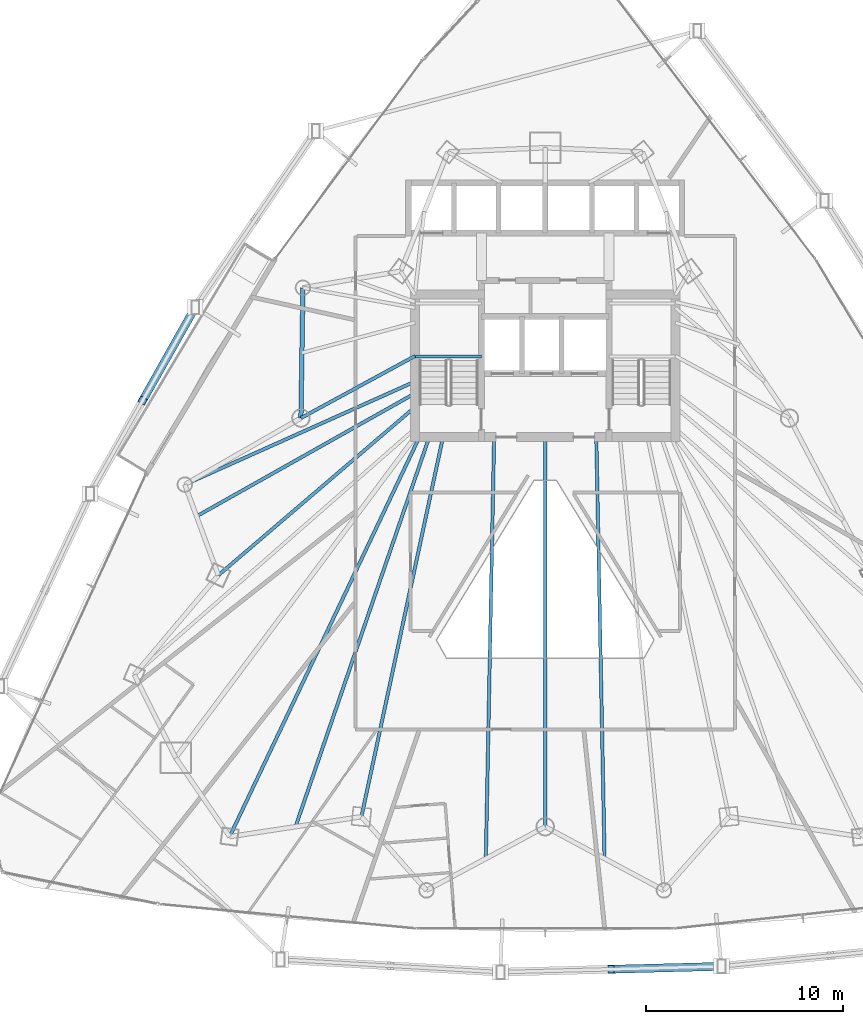
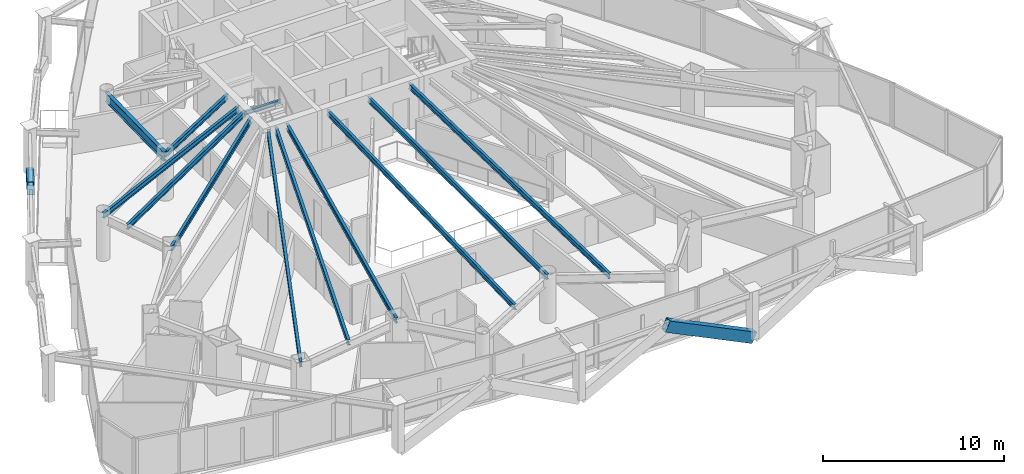
# One storey, part 12 of 38: 12 beams, 2 members.
"""IFC4 building model written with IfcOpenShell, lengths in metres."""

from ifc_helpers import new_model, si_unit, direction, frame, origin, origin_2d, place, context, subcontext, project, spatial, hollow_rectangle, i_section, extrude, material, material_profile, profile_set, type_object, element, save


model = new_model("IFC4")

# Units and contexts
model_context = context("Model", 3, precision=1e-05, world=origin(), true_north=direction((0.0, 1.0)))
body_context = subcontext(model_context, "Body", "Model", "MODEL_VIEW")
ifc_project = project(units=[si_unit("LENGTHUNIT", "METRE"), si_unit("AREAUNIT", "SQUARE_METRE"), si_unit("VOLUMEUNIT", "CUBIC_METRE"), si_unit("PLANEANGLEUNIT", "RADIAN"), si_unit("MASSUNIT", "GRAM", prefix="KILO")], contexts=[model_context])

# Site, building, storey
site_placement = place(None, origin())
site = spatial("IfcSite", under=ifc_project, at=site_placement, CompositionType="ELEMENT")
building_placement = place(site_placement, origin())
building = spatial("IfcBuilding", under=site, at=building_placement, Name="Orvanel Arch Residences", CompositionType="ELEMENT")
storey_placement = place(building_placement, frame((0.0, 0.0, 56.60009765625)))
storey = spatial("IfcBuildingStorey", under=building, at=storey_placement, Name="L15", CompositionType="ELEMENT", Elevation=56.60009765625)

# Beams
ifc_material_1 = material(Name="Structural steel AS/NZS 3679.1 Grade 300 (300 MPa)", Category="steel")
ifc_material_profile_1 = material_profile(ifc_material_1, i_section(OverallWidth=0.14599609375, OverallDepth=0.251953125, WebThickness=0.006103515625, FlangeThickness=0.008544921875, at=origin_2d()), Name="250UB31.4")
ifc_profile_set_1 = profile_set([ifc_material_profile_1], Name="Structural steel AS/NZS 3679.1 Grade 300 (300 MPa)")
beam_type_1 = type_object("IfcBeamType", Name="BJ-250UB", PredefinedType="JOIST", material=ifc_profile_set_1)
beam_1_placement = place(storey_placement, frame((26.39990234375, 30.780029296875, 1.323974609375), z_axis=(1.0, 0.0, 0.0), x_axis=(0.0, 1.0, 0.0)))
element("IfcBeam", 1, at=beam_1_placement, inside=storey, type_object=beam_type_1, Name="L15 ST-1 Half-Landing Support Beam 1.1", PredefinedType="JOIST", context=body_context, shape_type="SweptSolid", body=[
    extrude(i_section(OverallWidth=0.14599609375, OverallDepth=0.251953125, WebThickness=0.006103515625, FlangeThickness=0.008544921875, at=origin_2d()), origin(), (0.0, 0.0, 1.0), 3.35009765625),
])
ifc_material_profile_2 = material_profile(ifc_material_1, i_section(OverallWidth=0.1708984375, OverallDepth=0.35595703125, WebThickness=0.00732421875, FlangeThickness=0.011474609375, at=origin_2d()), Name="360UB50.7")
ifc_profile_set_2 = profile_set([ifc_material_profile_2], Name="Structural steel AS/NZS 3679.1 Grade 300 (300 MPa)")
beam_type_2 = type_object("IfcBeamType", Name="BJ-360UB", PredefinedType="JOIST", material=ifc_profile_set_2)
beam_2_placement = place(storey_placement, frame((26.375, 30.800048828125, 2.841796875), z_axis=(-0.878399029914, -0.477927969726, 0.0), x_axis=(0.477927969726, -0.878399029914, 0.0)))
element("IfcBeam", 2, at=beam_2_placement, inside=storey, type_object=beam_type_2, Name="L15 NW Wing Floor Joist", PredefinedType="JOIST", context=body_context, shape_type="SweptSolid", body=[
    extrude(i_section(OverallWidth=0.1708984375, OverallDepth=0.35595703125, WebThickness=0.00732421875, FlangeThickness=0.011474609375, at=origin_2d()), origin(), (0.0, 0.0, 1.0), 6.609619140625),
])
beam_3_placement = place(storey_placement, frame((26.375, 28.199951171875, 2.841796875), z_axis=(-0.760024297953, -0.649894658018, 0.0), x_axis=(0.649894658018, -0.760024297953, 0.0)))
element("IfcBeam", 3, at=beam_3_placement, inside=storey, type_object=beam_type_2, Name="L15 W Wing Floor Joist", PredefinedType="JOIST", context=body_context, shape_type="SweptSolid", body=[
    extrude(i_section(OverallWidth=0.1708984375, OverallDepth=0.35595703125, WebThickness=0.00732421875, FlangeThickness=0.011474609375, at=origin_2d()), origin(), (0.0, 0.0, 1.0), 13.16796875),
])
beam_4_placement = place(storey_placement, frame((27.800048828125, 26.675048828125, 2.841796875), z_axis=(-0.210066515515, -0.977687096703, 0.0), x_axis=(0.977687096703, -0.210066515515, 0.0)))
element("IfcBeam", 4, at=beam_4_placement, inside=storey, type_object=beam_type_2, Name="L15 SW Wing Floor Joist", PredefinedType="JOIST", context=body_context, shape_type="SweptSolid", body=[
    extrude(i_section(OverallWidth=0.1708984375, OverallDepth=0.35595703125, WebThickness=0.00732421875, FlangeThickness=0.011474609375, at=origin_2d()), origin(), (0.0, 0.0, 1.0), 19.760986328125),
])
beam_5_placement = place(storey_placement, frame((33.0, 26.675048828125, 2.841796875), z_axis=(0.0, -1.0, 0.0), x_axis=(1.0, 0.0, 0.0)))
element("IfcBeam", 5, at=beam_5_placement, inside=storey, type_object=beam_type_2, Name="L15 SSW Wing Floor Joist", PredefinedType="JOIST", context=body_context, shape_type="SweptSolid", body=[
    extrude(i_section(OverallWidth=0.1708984375, OverallDepth=0.35595703125, WebThickness=0.00732421875, FlangeThickness=0.011474609375, at=origin_2d()), origin(), (0.0, 0.0, 1.0), 19.8310546875),
])
for number, where, z_axis, x_axis, name in (
    (6, (30.39990234375, 26.675048828125, 2.841796875), (-0.019617680075, -0.999807554797, 0.0), (0.999807554797, -0.019617680075, 0.0), "L15 WSW2 Wing Floor Joist"),
    (7, (35.60009765625, 26.675048828125, 2.841796875), (0.019617680075, -0.999807554797, 0.0), (0.999807554797, 0.019617680075, 0.0), "L15 ESE2 Wing Floor Joist"),
):
    element("IfcBeam", number, at=place(storey_placement, frame(where, z_axis=z_axis, x_axis=x_axis)), inside=storey, type_object=beam_type_2, Name=name, PredefinedType="JOIST", context=body_context, shape_type="SweptSolid", body=[
        extrude(i_section(OverallWidth=0.1708984375, OverallDepth=0.35595703125, WebThickness=0.00732421875, FlangeThickness=0.011474609375, at=origin_2d()), origin(), (0.0, 0.0, 1.0), 21.455078125),
    ])
beam_6_placement = place(storey_placement, frame((26.60009765625, 26.675048828125, 2.841796875), z_axis=(-0.429042657795, -0.903284228686, 0.0), x_axis=(0.903284228686, -0.429042657795, 0.0)))
element("IfcBeam", 8, at=beam_6_placement, inside=storey, type_object=beam_type_2, Name="L15 MSW Wing Floor Joist", PredefinedType="JOIST", context=body_context, shape_type="SweptSolid", body=[
    extrude(i_section(OverallWidth=0.1708984375, OverallDepth=0.35595703125, WebThickness=0.00732421875, FlangeThickness=0.011474609375, at=origin_2d()), origin(), (0.0, 0.0, 1.0), 22.513427734375),
])
beam_7_placement = place(storey_placement, frame((26.375, 29.5, 2.841796875), z_axis=(-0.912704378681, -0.408620505038, 0.0), x_axis=(0.408620505038, -0.912704378681, 0.0)))
element("IfcBeam", 9, at=beam_7_placement, inside=storey, type_object=beam_type_2, Name="L15 LSW Wing Floor Joist", PredefinedType="JOIST", context=body_context, shape_type="SweptSolid", body=[
    extrude(i_section(OverallWidth=0.1708984375, OverallDepth=0.35595703125, WebThickness=0.00732421875, FlangeThickness=0.011474609375, at=origin_2d()), origin(), (0.0, 0.0, 1.0), 12.833251953125),
])
beam_8_placement = place(storey_placement, frame((26.375, 28.89990234375, 2.841796875), z_axis=(-0.871372554181, -0.490621923502, 0.0), x_axis=(0.490621923502, -0.871372554181, 0.0)))
element("IfcBeam", 10, at=beam_8_placement, inside=storey, type_object=beam_type_2, Name="L15 CTW Wing Floor Joist", PredefinedType="JOIST", context=body_context, shape_type="SweptSolid", body=[
    extrude(i_section(OverallWidth=0.1708984375, OverallDepth=0.35595703125, WebThickness=0.00732421875, FlangeThickness=0.011474609375, at=origin_2d()), origin(), (0.0, 0.0, 1.0), 12.7568359375),
])
beam_9_placement = place(storey_placement, frame((27.10009765625, 26.675048828125, 2.841796875), z_axis=(-0.324621456495, -0.945844019901, 0.0), x_axis=(0.945844019901, -0.324621456495, 0.0)))
element("IfcBeam", 11, at=beam_9_placement, inside=storey, type_object=beam_type_2, Name="L15 JADD1 Wing Floor Joist", PredefinedType="JOIST", context=body_context, shape_type="SweptSolid", body=[
    extrude(i_section(OverallWidth=0.1708984375, OverallDepth=0.35595703125, WebThickness=0.00732421875, FlangeThickness=0.011474609375, at=origin_2d()), origin(), (0.0, 0.0, 1.0), 20.96337890625),
])

# Members
ifc_material_2 = material(Name="Structural steel AS/NZS 3678 Grade 350", Category="steel")
ifc_material_profile_3 = material_profile(ifc_material_2, hollow_rectangle(XDim=0.419921875, YDim=0.719970703125, WallThickness=0.02490234375, at=origin_2d()), Name="RHS720x420x25")
ifc_profile_set_3 = profile_set([ifc_material_profile_3], Name="Structural steel AS/NZS 3678 Grade 350")
member_type = type_object("IfcMemberType", Name="BR-720RHS-EXT", PredefinedType="BRACE", material=ifc_profile_set_3)
member_1_placement = place(storey_placement, frame((15.19189453125, 33.279052734375, 0.0), z_axis=(-0.43630880708, -0.773856240775, 0.459109075795), x_axis=(0.871087060807, -0.491128631312, 0.0)))
element("IfcMember", 12, at=member_1_placement, inside=storey, type_object=member_type, Name="L15 Exterior Sky-Garden V-Frame Chevron F1B2.1", PredefinedType="BRACE", context=body_context, shape_type="SweptSolid", body=[
    extrude(hollow_rectangle(XDim=0.419921875, YDim=0.719970703125, WallThickness=0.02490234375, at=origin_2d()), origin(), (0.0, 0.0, 1.0), 6.135498046875),
])
member_2_placement = place(storey_placement, frame((41.971923828125, -0.260986328125, 0.0), z_axis=(-0.893833478999, -0.023363629645, 0.44778996486), x_axis=(0.026129757843, -0.999658559587, 0.0)))
element("IfcMember", 13, at=member_2_placement, inside=storey, type_object=member_type, Name="L15 Exterior Sky-Garden V-Frame Chevron F2B2.2", PredefinedType="BRACE", context=body_context, shape_type="SweptSolid", body=[
    extrude(hollow_rectangle(XDim=0.419921875, YDim=0.719970703125, WallThickness=0.02490234375, at=origin_2d()), origin(), (0.0, 0.0, 1.0), 6.290771484375),
])

# Beam
ifc_material_profile_4 = material_profile(ifc_material_1, i_section(OverallWidth=0.22900390625, OverallDepth=0.612060546875, WebThickness=0.011962890625, FlangeThickness=0.01953125, at=origin_2d()), Name="610UB125")
ifc_profile_set_4 = profile_set([ifc_material_profile_4], Name="Structural steel AS/NZS 3679.1 Grade 300 (300 MPa)")
beam_type_3 = type_object("IfcBeamType", Name="SP-610UB", PredefinedType="SPANDREL", material=ifc_profile_set_4)
beam_10_placement = place(storey_placement, frame((20.669921875, 34.27099609375, 2.7138671875), z_axis=(-0.015206666874, -0.999884371956, 0.0), x_axis=(0.999884371956, -0.015206666874, 0.0)))
element("IfcBeam", 14, at=beam_10_placement, inside=storey, type_object=beam_type_3, Name="L15 Perimeter Spandrel Beam 20", PredefinedType="SPANDREL", context=body_context, shape_type="SweptSolid", body=[
    extrude(i_section(OverallWidth=0.22900390625, OverallDepth=0.612060546875, WebThickness=0.011962890625, FlangeThickness=0.01953125, at=origin_2d()), origin(), (0.0, 0.0, 1.0), 6.630615234375),
])

save(model, "model.ifc")
